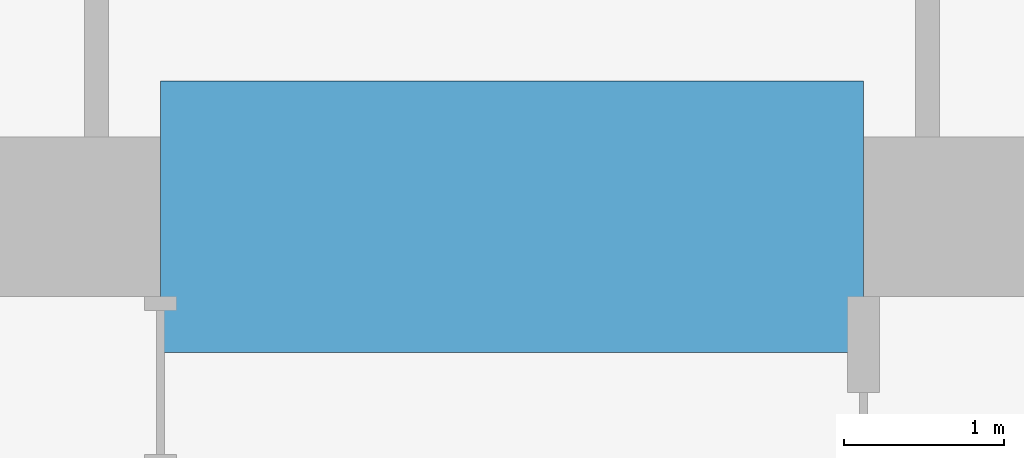
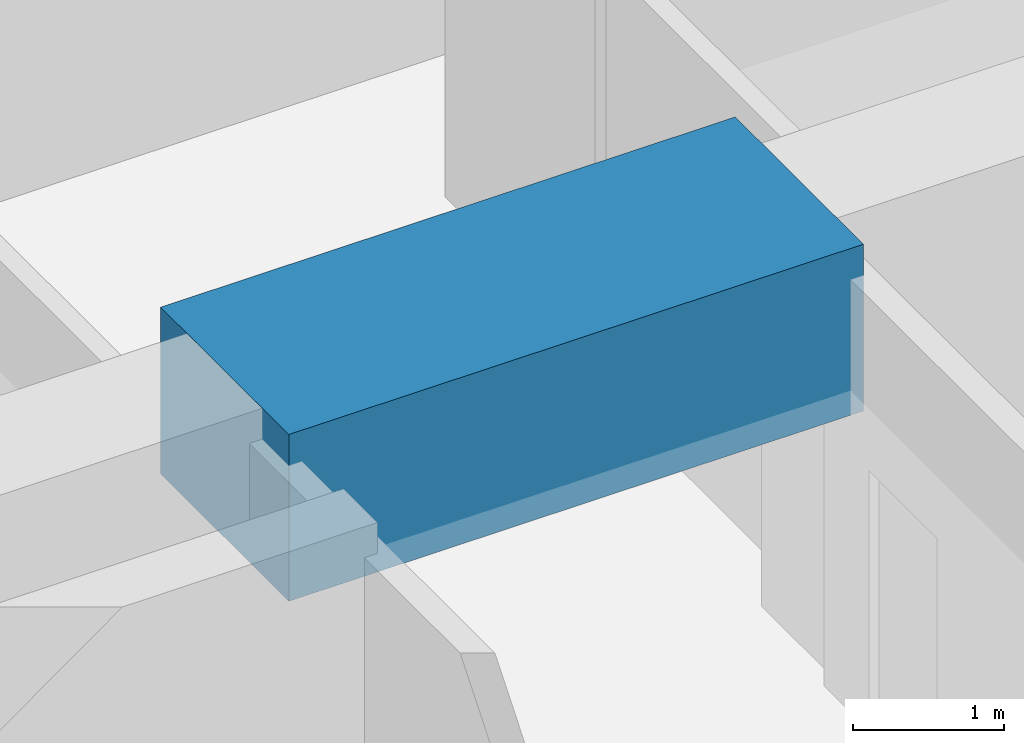
# One storey, part 18 of 40: 1 beam.
"""IFC4 building model written with IfcOpenShell, lengths in metres."""

from ifc_helpers import new_model, si_unit, direction, frame, origin, origin_2d, place, context, subcontext, project, spatial, rectangle, extrude, material, material_profile, profile_set, type_object, element, save


model = new_model("IFC4")

# Units and contexts
model_context = context("Model", 3, precision=1e-05, world=origin(), true_north=direction((0.0, 1.0)))
body_context = subcontext(model_context, "Body", "Model", "MODEL_VIEW")
ifc_project = project(units=[si_unit("LENGTHUNIT", "METRE"), si_unit("AREAUNIT", "SQUARE_METRE"), si_unit("VOLUMEUNIT", "CUBIC_METRE"), si_unit("PLANEANGLEUNIT", "RADIAN"), si_unit("MASSUNIT", "GRAM", prefix="KILO")], contexts=[model_context])

# Site, building, storey
site_placement = place(None, origin())
site = spatial("IfcSite", under=ifc_project, at=site_placement, CompositionType="ELEMENT")
building_placement = place(site_placement, origin())
building = spatial("IfcBuilding", under=site, at=building_placement, Name="Rekha Terrace Tower", CompositionType="ELEMENT")
storey_placement = place(building_placement, frame((0.0, 0.0, 95.300048828125)))
storey = spatial("IfcBuildingStorey", under=building, at=storey_placement, Name="L23", CompositionType="ELEMENT", Elevation=95.300048828125)

# Beam
ifc_material = material(Name="Concrete M70", Category="concrete")
ifc_material_profile = material_profile(ifc_material, rectangle(XDim=1.699951171875, YDim=1.35009765625, at=origin_2d()), Name="RC 1700x1350")
ifc_profile_set = profile_set([ifc_material_profile], Name="Concrete M70")
beam_type = type_object("IfcBeamType", Name="LB2A 1700x1350 diagonally reinforced coupling beam", PredefinedType="LINTEL", material=ifc_profile_set)
beam_placement = place(storey_placement, frame((35.60009765625, 46.199951171875, 3.074951171875), z_axis=(1.0, 0.0, 0.0), x_axis=(0.0, 1.0, 0.0)))
element("IfcBeam", 1, at=beam_placement, inside=storey, type_object=beam_type, Name="Coupling beam LB2A N L23", PredefinedType="LINTEL", context=body_context, shape_type="SweptSolid", body=[
    extrude(rectangle(XDim=1.699951171875, YDim=1.35009765625, at=origin_2d()), origin(), (0.0, 0.0, 1.0), 4.39990234375),
])

save(model, "model.ifc")
